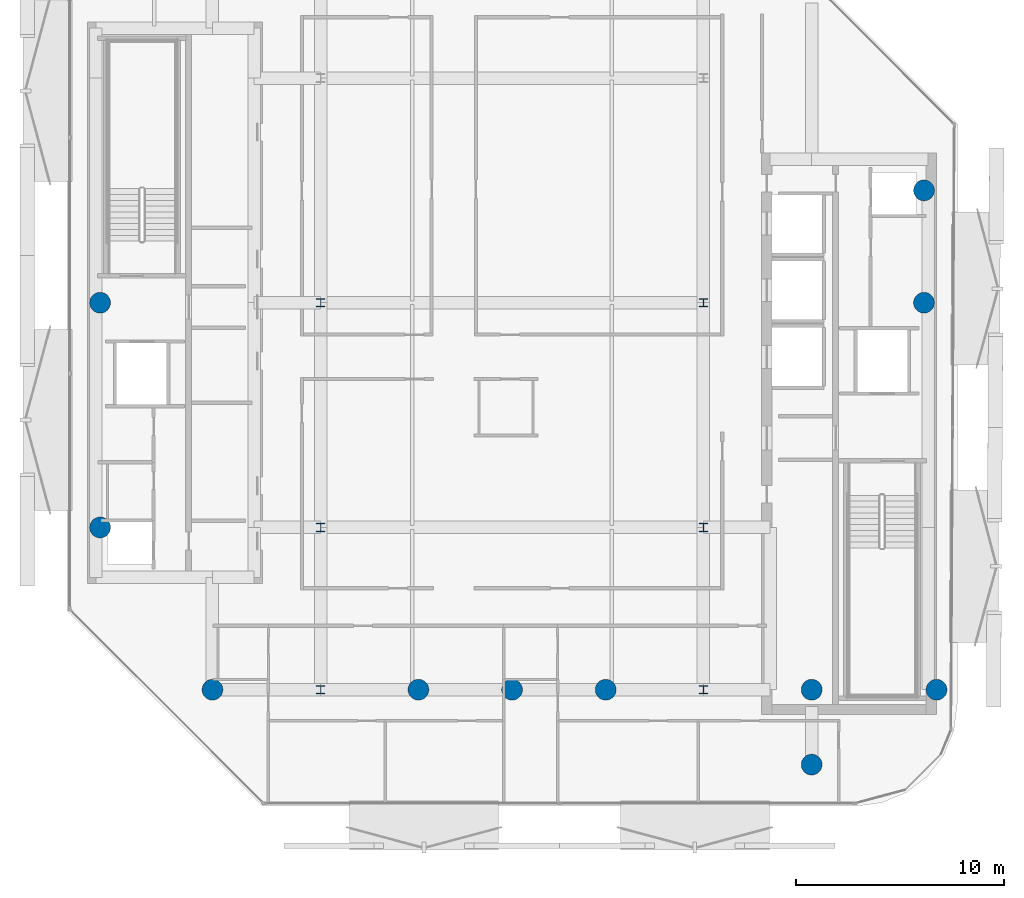
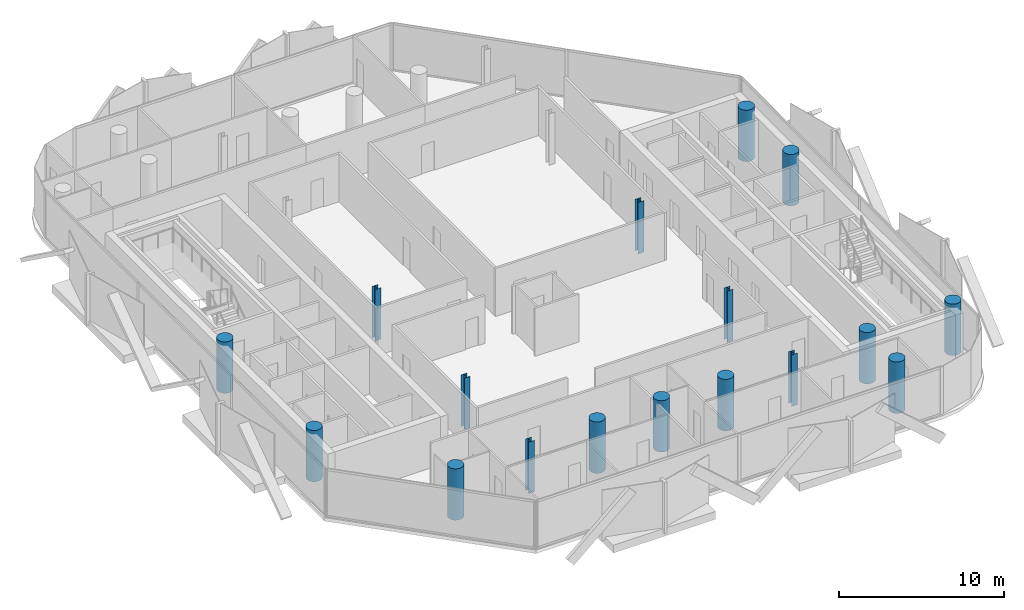
# One storey, part 1 of 16: 17 columns.
"""IFC4 building model written with IfcOpenShell, lengths in metres."""

from ifc_helpers import new_model, si_unit, direction, frame, origin, origin_2d, place, context, subcontext, project, spatial, circle, i_section, extrude, material, material_profile, profile_set, type_object, element, save


model = new_model("IFC4")

# Units and contexts
model_context = context("Model", 3, precision=1e-05, world=origin(), true_north=direction((0.0, 1.0)))
body_context = subcontext(model_context, "Body", "Model", "MODEL_VIEW")
ifc_project = project(units=[si_unit("LENGTHUNIT", "METRE"), si_unit("AREAUNIT", "SQUARE_METRE"), si_unit("VOLUMEUNIT", "CUBIC_METRE"), si_unit("PLANEANGLEUNIT", "RADIAN"), si_unit("MASSUNIT", "GRAM", prefix="KILO")], contexts=[model_context])

# Site, building, storey
site_placement = place(None, origin())
site = spatial("IfcSite", under=ifc_project, at=site_placement, CompositionType="ELEMENT")
building_placement = place(site_placement, origin())
building = spatial("IfcBuilding", under=site, at=building_placement, Name="Khairoan Windgate Tower", CompositionType="ELEMENT")
storey_placement = place(building_placement, frame((0.0, 0.0, 311.800048828125)))
storey = spatial("IfcBuildingStorey", under=building, at=storey_placement, Name="L75", CompositionType="ELEMENT", Elevation=311.800048828125)

# Columns
ifc_material_1 = material(Name="Concrete C60/75", Category="concrete")
ifc_material_profile_1 = material_profile(ifc_material_1, circle(Radius=0.5, at=origin_2d()))
ifc_profile_set_1 = profile_set([ifc_material_profile_1], Name="Concrete C60/75")
column_type_1 = type_object("IfcColumnType", Name="Column C-P1 RC-D1000", PredefinedType="COLUMN", material=ifc_profile_set_1)
for number, where, z_axis, x_axis, name in (
    (1, (20.39990234375, -18.60009765625, 0.0), (0.0, 0.0, 1.0), (1.0, 0.0, 0.0), "Column L75-12"),
    (2, (-14.39990234375, -18.60009765625, 0.0), (0.0, 0.0, 1.0), (1.0, 0.0, 0.0), "Column L75-13"),
    (3, (14.39990234375, -18.60009765625, 0.0), (0.0, 0.0, 1.0), (1.0, 0.0, 0.0), "Column L75-15"),
    (4, (-4.5, -18.60009765625, 0.0), (0.0, 0.0, 1.0), (1.0, 0.0, 0.0), "Column L75-16"),
    (5, (0.0, -18.60009765625, 0.0), (0.0, 0.0, 1.0), (1.0, 0.0, 0.0), "Column L75-17"),
    (6, (4.5, -18.60009765625, 0.0), (0.0, 0.0, 1.0), (1.0, 0.0, 0.0), "Column L75-18"),
    (7, (-19.800048828125, -10.800048828125, 0.0), (0.0, 0.0, 1.0), (1.0, 0.0, 0.0), "Column L75-22"),
    (8, (-19.800048828125, 0.0, 0.0), (0.0, 0.0, 1.0), (1.0, 0.0, 0.0), "Column L75-23"),
    (9, (19.800048828125, 0.0, 0.0), (0.0, 0.0, 1.0), (1.0, 0.0, 0.0), "Column L75-24"),
    (10, (19.800048828125, 5.39990234375, 0.0), (0.0, 0.0, 1.0), (1.0, 0.0, 0.0), "Column L75-25"),
    (11, (14.39990234375, -22.199951171875, 0.0), (0.0, 0.0, 1.0), (1.0, 0.0, 0.0), "Column L75-27"),
):
    element("IfcColumn", number, at=place(storey_placement, frame(where, z_axis=z_axis, x_axis=x_axis)), inside=storey, type_object=column_type_1, Name=name, PredefinedType="COLUMN", context=body_context, shape_type="SweptSolid", body=[
        extrude(circle(Radius=0.5, at=origin_2d()), origin(), (0.0, 0.0, 1.0), 3.800048828125),
    ])
ifc_material_2 = material(Name="Steel S355", Category="steel")
ifc_material_profile_2 = material_profile(ifc_material_2, i_section(OverallWidth=0.39990234375, OverallDepth=0.39990234375, WebThickness=0.012939453125, FlangeThickness=0.02099609375, FilletRadius=0.02197265625, at=origin_2d()))
ifc_profile_set_2 = profile_set([ifc_material_profile_2], Name="Steel S355")
column_type_2 = type_object("IfcColumnType", Name="Steel Column SC4 H400x400x13x21", PredefinedType="COLUMN", material=ifc_profile_set_2)
for number, where, z_axis, x_axis, name in (
    (12, (-9.199951171875, -18.60009765625, 0.0), (0.0, 0.0, 1.0), (1.0, 0.0, 0.0), "Column L75-01"),
    (13, (-9.199951171875, -10.800048828125, 0.0), (0.0, 0.0, 1.0), (1.0, 0.0, 0.0), "Column L75-02"),
    (14, (-9.199951171875, 0.0, 0.0), (0.0, 0.0, 1.0), (1.0, 0.0, 0.0), "Column L75-03"),
    (15, (9.199951171875, -18.60009765625, 0.0), (0.0, 0.0, 1.0), (1.0, 0.0, 0.0), "Column L75-06"),
    (16, (9.199951171875, -10.800048828125, 0.0), (0.0, 0.0, 1.0), (1.0, 0.0, 0.0), "Column L75-07"),
    (17, (9.199951171875, 0.0, 0.0), (0.0, 0.0, 1.0), (1.0, 0.0, 0.0), "Column L75-08"),
):
    element("IfcColumn", number, at=place(storey_placement, frame(where, z_axis=z_axis, x_axis=x_axis)), inside=storey, type_object=column_type_2, Name=name, PredefinedType="COLUMN", context=body_context, shape_type="SweptSolid", body=[
        extrude(i_section(OverallWidth=0.39990234375, OverallDepth=0.39990234375, WebThickness=0.012939453125, FlangeThickness=0.02099609375, FilletRadius=0.02197265625, at=origin_2d()), origin(), (0.0, 0.0, 1.0), 3.800048828125),
    ])

save(model, "model.ifc")
